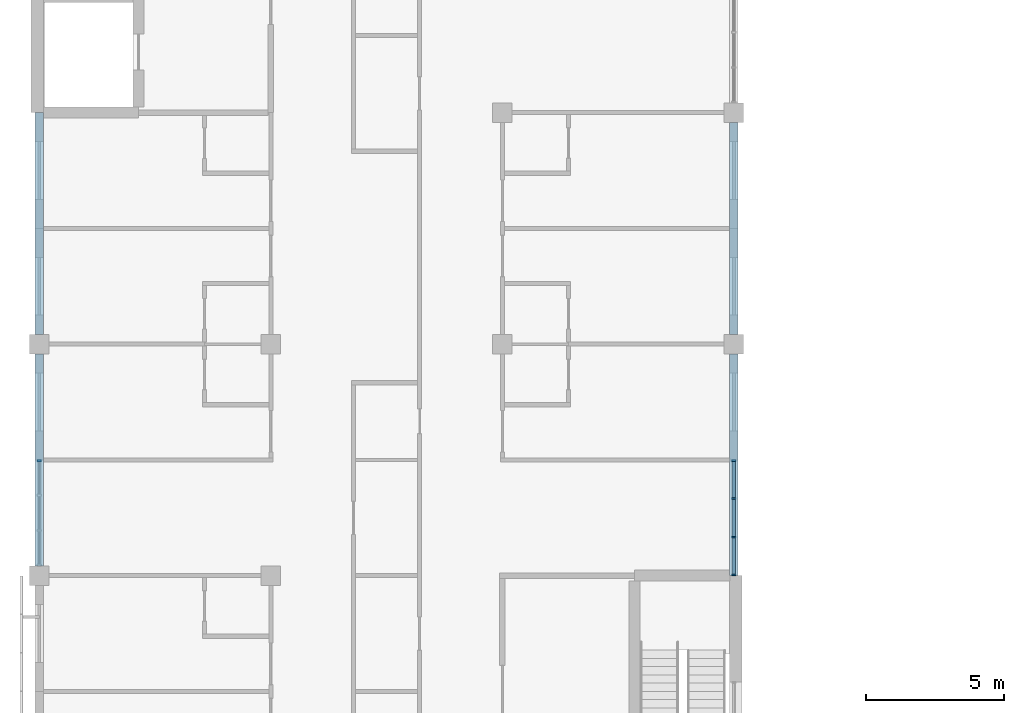
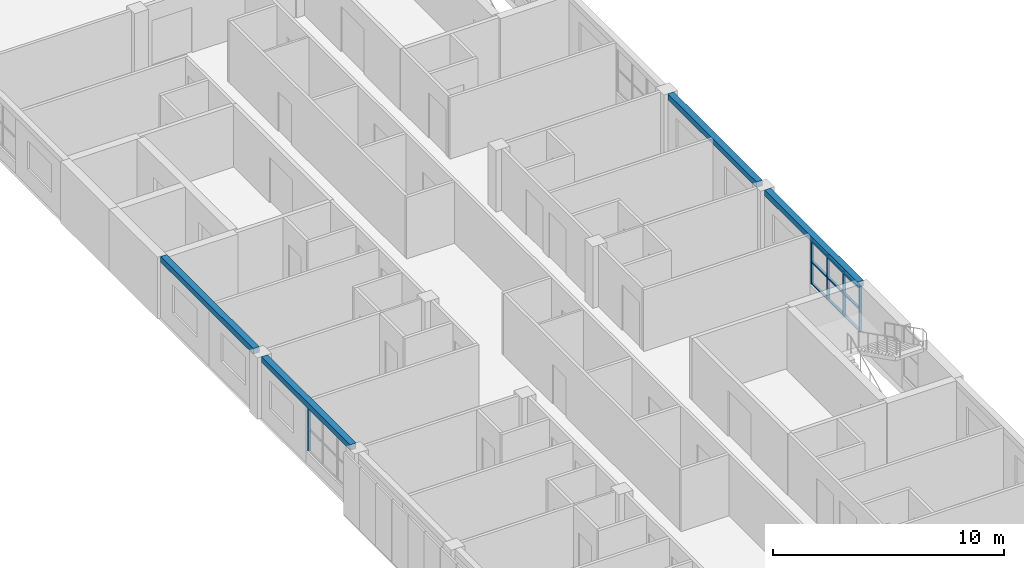
# One storey, part 8 of 61: 14 members, 4 beams, 2 elements without a shape of their own.
"""IFC4 building model written with IfcOpenShell, lengths in metres."""

from ifc_helpers import new_model, si_unit, direction, frame, origin, origin_2d, place, context, subcontext, project, spatial, rectangle, extrude, material, material_profile, profile_set, type_object, element, aggregate, save


model = new_model("IFC4")

# Units and contexts
model_context = context("Model", 3, precision=1e-05, world=origin(), true_north=direction((0.0, 1.0)))
body_context = subcontext(model_context, "Body", "Model", "MODEL_VIEW")
ifc_project = project(units=[si_unit("LENGTHUNIT", "METRE"), si_unit("AREAUNIT", "SQUARE_METRE"), si_unit("VOLUMEUNIT", "CUBIC_METRE"), si_unit("PLANEANGLEUNIT", "RADIAN"), si_unit("MASSUNIT", "GRAM", prefix="KILO")], contexts=[model_context])

# Site, building, storey
site_placement = place(None, origin())
site = spatial("IfcSite", under=ifc_project, at=site_placement, CompositionType="ELEMENT")
building_placement = place(site_placement, origin())
building = spatial("IfcBuilding", under=site, at=building_placement, Name="Yavir Park General Hospital", CompositionType="ELEMENT")
storey_placement = place(building_placement, frame((0.0, 0.0, 15.300048828125)))
storey = spatial("IfcBuildingStorey", under=building, at=storey_placement, Name="L03", CompositionType="ELEMENT", Elevation=15.300048828125)

# Curtain wall, member
ifc_material_1 = material(Name="Aluminium curtain wall frame with insulated glazing", Category="aluminium")
curtain_wall_type = type_object("IfcCurtainWallType", Name="Day room pocket glazing, ward floors, 2360 high, 1400 module", PredefinedType="NOTDEFINED", material=ifc_material_1)
curtain_wall_1_placement = place(storey_placement, origin())
curtain_wall_1 = element("IfcCurtainWall", 1, at=curtain_wall_1_placement, inside=storey, type_object=curtain_wall_type, Name="CW6 L03-018", PredefinedType="NOTDEFINED")
ifc_material_2 = material(Name="Aluminium", Category="aluminium")
ifc_material_profile_1 = material_profile(ifc_material_2, rectangle(XDim=0.139892578125, YDim=0.06005859375, at=origin_2d()), Name="AL 60x140")
ifc_profile_set_1 = profile_set([ifc_material_profile_1], Name="Aluminium")
member_type_1 = type_object("IfcMemberType", Name="Day room pocket glazing, ward floors, 2360 high mullion 60 x 140", PredefinedType="MULLION", material=ifc_profile_set_1)
member_1_placement = place(storey_placement, frame((0.0, 54.570068359375, 0.599853515625), z_axis=(0.0, 0.0, 1.0), x_axis=(-1.0, 0.0, 0.0)))
member_1 = element("IfcMember", 2, at=member_1_placement, type_object=member_type_1, Name="CW6 mullion 4", PredefinedType="MULLION", context=body_context, shape_type="SweptSolid", body=[
    extrude(rectangle(XDim=0.139892578125, YDim=0.06005859375, at=origin_2d()), origin(), (0.0, 0.0, 1.0), 2.360107421875),
])
aggregate(curtain_wall_1, [member_1])

# Curtain wall, members
curtain_wall_2_placement = place(storey_placement, origin())
curtain_wall_2 = element("IfcCurtainWall", 3, at=curtain_wall_2_placement, inside=storey, type_object=curtain_wall_type, Name="CW6 L03-023", PredefinedType="NOTDEFINED")
member_2_placement = place(storey_placement, frame((25.199951171875, 50.429931640625, 0.599853515625), z_axis=(0.0, 0.0, 1.0), x_axis=(-1.0, 0.0, 0.0)))
member_2 = element("IfcMember", 4, at=member_2_placement, type_object=member_type_1, Name="CW6 mullion 1", PredefinedType="MULLION", context=body_context, shape_type="SweptSolid", body=[
    extrude(rectangle(XDim=0.139892578125, YDim=0.06005859375, at=origin_2d()), origin(), (0.0, 0.0, 1.0), 2.360107421875),
])
member_3_placement = place(storey_placement, frame((25.199951171875, 51.800048828125, 0.599853515625), z_axis=(0.0, 0.0, 1.0), x_axis=(-1.0, 0.0, 0.0)))
member_3 = element("IfcMember", 5, at=member_3_placement, type_object=member_type_1, Name="CW6 mullion 2", PredefinedType="MULLION", context=body_context, shape_type="SweptSolid", body=[
    extrude(rectangle(XDim=0.139892578125, YDim=0.06005859375, at=origin_2d()), origin(), (0.0, 0.0, 1.0), 2.360107421875),
])
member_4_placement = place(storey_placement, frame((25.199951171875, 53.199951171875, 0.599853515625), z_axis=(0.0, 0.0, 1.0), x_axis=(-1.0, 0.0, 0.0)))
member_4 = element("IfcMember", 6, at=member_4_placement, type_object=member_type_1, Name="CW6 mullion 3", PredefinedType="MULLION", context=body_context, shape_type="SweptSolid", body=[
    extrude(rectangle(XDim=0.139892578125, YDim=0.06005859375, at=origin_2d()), origin(), (0.0, 0.0, 1.0), 2.360107421875),
])
member_5_placement = place(storey_placement, frame((25.199951171875, 54.570068359375, 0.599853515625), z_axis=(0.0, 0.0, 1.0), x_axis=(-1.0, 0.0, 0.0)))
member_5 = element("IfcMember", 7, at=member_5_placement, type_object=member_type_1, Name="CW6 mullion 4", PredefinedType="MULLION", context=body_context, shape_type="SweptSolid", body=[
    extrude(rectangle(XDim=0.139892578125, YDim=0.06005859375, at=origin_2d()), origin(), (0.0, 0.0, 1.0), 2.360107421875),
])
ifc_material_3 = material(Name="Aluminium", Category="aluminium")
ifc_material_profile_2 = material_profile(ifc_material_3, rectangle(XDim=0.1201171875, YDim=0.06005859375, at=origin_2d()), Name="AL 120x60")
ifc_profile_set_2 = profile_set([ifc_material_profile_2], Name="Aluminium")
member_type_2 = type_object("IfcMemberType", Name="Day room pocket glazing, ward floors, 2360 high transom 60 x 120", PredefinedType="MULLION", material=ifc_profile_set_2)
member_6_placement = place(storey_placement, frame((25.199951171875, 50.4599609375, 0.6298828125), z_axis=(0.0, 1.0, 0.0), x_axis=(-1.0, 0.0, 0.0)))
member_6 = element("IfcMember", 8, at=member_6_placement, type_object=member_type_2, Name="CW6 transom 1.1", PredefinedType="MULLION", context=body_context, shape_type="SweptSolid", body=[
    extrude(rectangle(XDim=0.1201171875, YDim=0.06005859375, at=origin_2d()), origin(), (0.0, 0.0, 1.0), 1.31005859375),
])
member_7_placement = place(storey_placement, frame((25.199951171875, 50.4599609375, 1.780029296875), z_axis=(0.0, 1.0, 0.0), x_axis=(-1.0, 0.0, 0.0)))
member_7 = element("IfcMember", 9, at=member_7_placement, type_object=member_type_2, Name="CW6 transom 1.2", PredefinedType="MULLION", context=body_context, shape_type="SweptSolid", body=[
    extrude(rectangle(XDim=0.1201171875, YDim=0.06005859375, at=origin_2d()), origin(), (0.0, 0.0, 1.0), 1.31005859375),
])
member_8_placement = place(storey_placement, frame((25.199951171875, 50.4599609375, 2.929931640625), z_axis=(0.0, 1.0, 0.0), x_axis=(-1.0, 0.0, 0.0)))
member_8 = element("IfcMember", 10, at=member_8_placement, type_object=member_type_2, Name="CW6 transom 1.3", PredefinedType="MULLION", context=body_context, shape_type="SweptSolid", body=[
    extrude(rectangle(XDim=0.1201171875, YDim=0.06005859375, at=origin_2d()), origin(), (0.0, 0.0, 1.0), 1.31005859375),
])
member_9_placement = place(storey_placement, frame((25.199951171875, 51.830078125, 0.6298828125), z_axis=(0.0, 1.0, 0.0), x_axis=(-1.0, 0.0, 0.0)))
member_9 = element("IfcMember", 11, at=member_9_placement, type_object=member_type_2, Name="CW6 transom 2.1", PredefinedType="MULLION", context=body_context, shape_type="SweptSolid", body=[
    extrude(rectangle(XDim=0.1201171875, YDim=0.06005859375, at=origin_2d()), origin(), (0.0, 0.0, 1.0), 1.33984375),
])
member_10_placement = place(storey_placement, frame((25.199951171875, 51.830078125, 1.780029296875), z_axis=(0.0, 1.0, 0.0), x_axis=(-1.0, 0.0, 0.0)))
member_10 = element("IfcMember", 12, at=member_10_placement, type_object=member_type_2, Name="CW6 transom 2.2", PredefinedType="MULLION", context=body_context, shape_type="SweptSolid", body=[
    extrude(rectangle(XDim=0.1201171875, YDim=0.06005859375, at=origin_2d()), origin(), (0.0, 0.0, 1.0), 1.33984375),
])
member_11_placement = place(storey_placement, frame((25.199951171875, 51.830078125, 2.929931640625), z_axis=(0.0, 1.0, 0.0), x_axis=(-1.0, 0.0, 0.0)))
member_11 = element("IfcMember", 13, at=member_11_placement, type_object=member_type_2, Name="CW6 transom 2.3", PredefinedType="MULLION", context=body_context, shape_type="SweptSolid", body=[
    extrude(rectangle(XDim=0.1201171875, YDim=0.06005859375, at=origin_2d()), origin(), (0.0, 0.0, 1.0), 1.33984375),
])
member_12_placement = place(storey_placement, frame((25.199951171875, 53.22998046875, 0.6298828125), z_axis=(0.0, 1.0, 0.0), x_axis=(-1.0, 0.0, 0.0)))
member_12 = element("IfcMember", 14, at=member_12_placement, type_object=member_type_2, Name="CW6 transom 3.1", PredefinedType="MULLION", context=body_context, shape_type="SweptSolid", body=[
    extrude(rectangle(XDim=0.1201171875, YDim=0.06005859375, at=origin_2d()), origin(), (0.0, 0.0, 1.0), 1.31005859375),
])
member_13_placement = place(storey_placement, frame((25.199951171875, 53.22998046875, 1.780029296875), z_axis=(0.0, 1.0, 0.0), x_axis=(-1.0, 0.0, 0.0)))
member_13 = element("IfcMember", 15, at=member_13_placement, type_object=member_type_2, Name="CW6 transom 3.2", PredefinedType="MULLION", context=body_context, shape_type="SweptSolid", body=[
    extrude(rectangle(XDim=0.1201171875, YDim=0.06005859375, at=origin_2d()), origin(), (0.0, 0.0, 1.0), 1.31005859375),
])
member_14_placement = place(storey_placement, frame((25.199951171875, 53.22998046875, 2.929931640625), z_axis=(0.0, 1.0, 0.0), x_axis=(-1.0, 0.0, 0.0)))
member_14 = element("IfcMember", 16, at=member_14_placement, type_object=member_type_2, Name="CW6 transom 3.3", PredefinedType="MULLION", context=body_context, shape_type="SweptSolid", body=[
    extrude(rectangle(XDim=0.1201171875, YDim=0.06005859375, at=origin_2d()), origin(), (0.0, 0.0, 1.0), 1.31005859375),
])
aggregate(curtain_wall_2, [member_2, member_3, member_4, member_5, member_6, member_7, member_8, member_9, member_10, member_11, member_12, member_13, member_14])

# Beams
ifc_material_4 = material(Name="Concrete C35/45", Category="concrete")
ifc_material_profile_3 = material_profile(ifc_material_4, rectangle(XDim=0.300048828125, YDim=0.300048828125, at=origin_2d()), Name="RC300x300")
ifc_profile_set_3 = profile_set([ifc_material_profile_3], Name="Concrete C35/45")
beam_type = type_object("IfcBeamType", Name="RC BEAM 300x300 edge beam", PredefinedType="BEAM", material=ifc_profile_set_3)
beam_1_placement = place(storey_placement, frame((0.0, 50.75, 3.10986328125), z_axis=(0.0, 1.0, 0.0), x_axis=(-1.0, 0.0, 0.0)))
element("IfcBeam", 17, at=beam_1_placement, inside=storey, type_object=beam_type, Name="B:EDGE:L03:021", PredefinedType="BEAM", context=body_context, shape_type="SweptSolid", body=[
    extrude(rectangle(XDim=0.300048828125, YDim=0.300048828125, at=origin_2d()), origin(), (0.0, 0.0, 1.0), 7.699951171875),
])
for number, where, z_axis, x_axis, name in (
    (18, (0.0, 59.14990234375, 3.10986328125), (0.0, 1.0, 0.0), (-1.0, 0.0, 0.0), "B:EDGE:L03:022"),
    (19, (25.199951171875, 50.39990234375, 3.10986328125), (0.0, 1.0, 0.0), (-1.0, 0.0, 0.0), "B:EDGE:L03:029"),
):
    element("IfcBeam", number, at=place(storey_placement, frame(where, z_axis=z_axis, x_axis=x_axis)), inside=storey, type_object=beam_type, Name=name, PredefinedType="BEAM", context=body_context, shape_type="SweptSolid", body=[
        extrude(rectangle(XDim=0.300048828125, YDim=0.300048828125, at=origin_2d()), origin(), (0.0, 0.0, 1.0), 8.050048828125),
    ])
beam_2_placement = place(storey_placement, frame((25.199951171875, 59.14990234375, 3.10986328125), z_axis=(0.0, 1.0, 0.0), x_axis=(-1.0, 0.0, 0.0)))
element("IfcBeam", 20, at=beam_2_placement, inside=storey, type_object=beam_type, Name="B:EDGE:L03:030", PredefinedType="BEAM", context=body_context, shape_type="SweptSolid", body=[
    extrude(rectangle(XDim=0.300048828125, YDim=0.300048828125, at=origin_2d()), origin(), (0.0, 0.0, 1.0), 7.7001953125),
])

save(model, "model.ifc")
